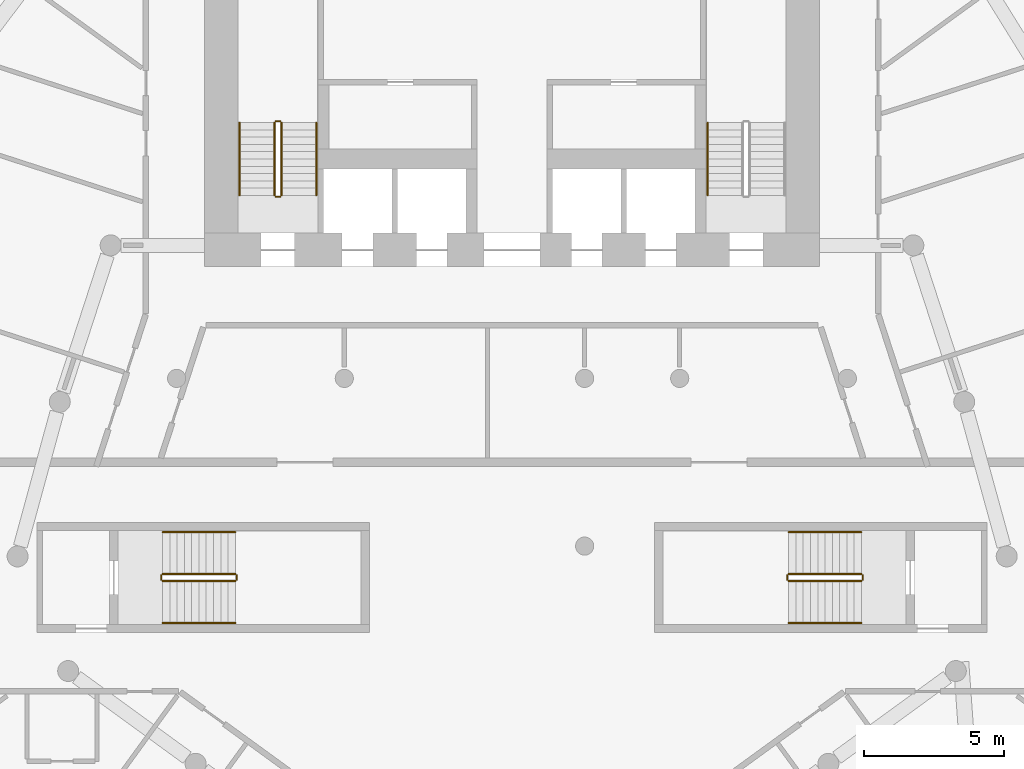
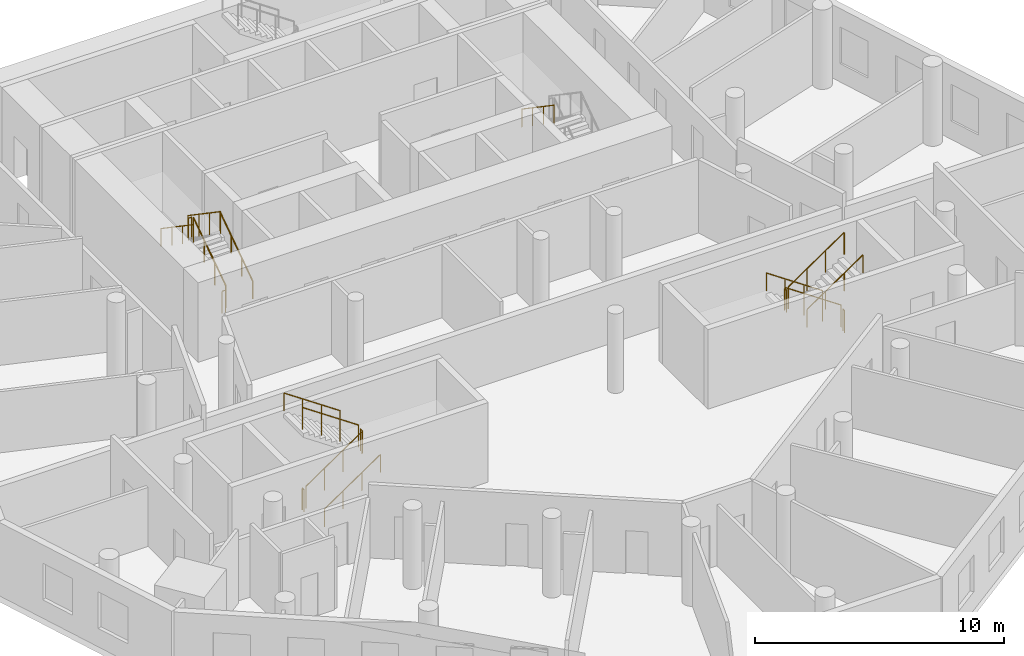
# One storey, part 8 of 9: 19 railings.
"""IFC4 building model written with IfcOpenShell, lengths in metres."""

from ifc_helpers import new_model, si_unit, direction, frame, origin, origin_2d, place, context, subcontext, project, spatial, circle, extrude, material, type_object, element, save


model = new_model("IFC4")

# Units and contexts
model_context = context("Model", 3, precision=1e-05, world=origin(), true_north=direction((0.0, 1.0)))
body_context = subcontext(model_context, "Body", "Model", "MODEL_VIEW")
ifc_project = project(units=[si_unit("LENGTHUNIT", "METRE"), si_unit("AREAUNIT", "SQUARE_METRE"), si_unit("VOLUMEUNIT", "CUBIC_METRE"), si_unit("PLANEANGLEUNIT", "RADIAN"), si_unit("MASSUNIT", "GRAM", prefix="KILO")], contexts=[model_context])

# Site, building, storey
site_placement = place(None, origin())
site = spatial("IfcSite", under=ifc_project, at=site_placement, CompositionType="ELEMENT")
building_placement = place(site_placement, origin())
building = spatial("IfcBuilding", under=site, at=building_placement, Name="White Candle Pilgrim Tower", CompositionType="ELEMENT")
storey_placement = place(building_placement, frame((0.0, 0.0, 70.199951171875)))
storey = spatial("IfcBuildingStorey", under=building, at=storey_placement, Name="L14", CompositionType="ELEMENT", Elevation=70.199951171875)

# Railings
ifc_material = material(Name="Stainless steel", Category="steel")
railing_type_1 = type_object("IfcRailingType", Name="Stair guard stainless steel 1100 mm", PredefinedType="GUARDRAIL", material=ifc_material)
railing_1_placement = place(storey_placement, frame((61.75, 73.550048828125, 0.17724609375)))
element("IfcRailing", 1, at=railing_1_placement, inside=storey, type_object=railing_type_1, Name="L14 ST1 stair guard 1", PredefinedType="GUARDRAIL", context=body_context, shape_type="SweptSolid", body=[
    extrude(circle(Radius=0.02392578125, at=origin_2d()), frame((0.0, 0.0, 1.076171875), z_axis=(0.0, 0.826215852431, 0.563353676824), x_axis=(-1.0, 0.0, 0.0)), (0.0, 0.0, 1.0), 3.146728515625),
    extrude(circle(Radius=0.02099609375, at=origin_2d()), origin(), (0.0, 0.0, 1.0), 1.052001953125),
    extrude(circle(Radius=0.02099609375, at=origin_2d()), frame((0.0, 0.86669921875, 0.5908203125)), (0.0, 0.0, 1.0), 1.052001953125),
    extrude(circle(Radius=0.02099609375, at=origin_2d()), frame((0.0, 1.733154296875, 1.181884765625)), (0.0, 0.0, 1.0), 1.052001953125),
    extrude(circle(Radius=0.02099609375, at=origin_2d()), frame((0.0, 2.599853515625, 1.772705078125)), (0.0, 0.0, 1.0), 1.052001953125),
])
railing_2_placement = place(storey_placement, frame((61.699951171875, 76.199951171875, 1.949951171875)))
element("IfcRailing", 2, at=railing_2_placement, inside=storey, type_object=railing_type_1, Name="L14 ST1 stair guard 2", PredefinedType="GUARDRAIL", context=body_context, shape_type="SweptSolid", body=[
    extrude(circle(Radius=0.02392578125, at=origin_2d()), frame((0.0, 0.0, 1.076171875), z_axis=(-1.0, 0.0, 0.0), x_axis=(0.0, -1.0, 0.0)), (0.0, 0.0, 1.0), 0.14990234375),
    extrude(circle(Radius=0.02099609375, at=origin_2d()), origin(), (0.0, 0.0, 1.0), 1.052001953125),
    extrude(circle(Radius=0.02099609375, at=origin_2d()), frame((-0.14990234375, 0.0, 0.0)), (0.0, 0.0, 1.0), 1.052001953125),
])
railing_3_placement = place(storey_placement, frame((61.5, 76.14990234375, 2.12744140625)))
element("IfcRailing", 3, at=railing_3_placement, inside=storey, type_object=railing_type_1, Name="L14 ST1 stair guard 3", PredefinedType="GUARDRAIL", context=body_context, shape_type="SweptSolid", body=[
    extrude(circle(Radius=0.02392578125, at=origin_2d()), frame((0.0, 0.0, 1.076171875), z_axis=(0.0, -0.826215852431, 0.563353676824), x_axis=(1.0, 0.0, 0.0)), (0.0, 0.0, 1.0), 3.146728515625),
    extrude(circle(Radius=0.02099609375, at=origin_2d()), origin(), (0.0, 0.0, 1.0), 1.052001953125),
    extrude(circle(Radius=0.02099609375, at=origin_2d()), frame((0.0, -0.86669921875, 0.5908203125)), (0.0, 0.0, 1.0), 1.052001953125),
    extrude(circle(Radius=0.02099609375, at=origin_2d()), frame((0.0, -1.733154296875, 1.181884765625)), (0.0, 0.0, 1.0), 1.052001953125),
    extrude(circle(Radius=0.02099609375, at=origin_2d()), frame((0.0, -2.599853515625, 1.772705078125)), (0.0, 0.0, 1.0), 1.052001953125),
])
railing_4_placement = place(storey_placement, frame((61.699951171875, 73.5, 0.0)))
element("IfcRailing", 4, at=railing_4_placement, inside=storey, type_object=railing_type_1, Name="L14 ST1 stair guard 4", PredefinedType="GUARDRAIL", context=body_context, shape_type="SweptSolid", body=[
    extrude(circle(Radius=0.02392578125, at=origin_2d()), frame((0.0, 0.0, 1.076171875), z_axis=(-1.0, 0.0, 0.0), x_axis=(0.0, -1.0, 0.0)), (0.0, 0.0, 1.0), 0.14990234375),
    extrude(circle(Radius=0.02099609375, at=origin_2d()), origin(), (0.0, 0.0, 1.0), 1.052001953125),
    extrude(circle(Radius=0.02099609375, at=origin_2d()), frame((-0.14990234375, 0.0, 0.0)), (0.0, 0.0, 1.0), 1.052001953125),
])
railing_5_placement = place(storey_placement, frame((82.5, 60.0, 0.17724609375)))
element("IfcRailing", 5, at=railing_5_placement, inside=storey, type_object=railing_type_1, Name="L14 ST4 stair guard 1", PredefinedType="GUARDRAIL", context=body_context, shape_type="SweptSolid", body=[
    extrude(circle(Radius=0.02392578125, at=origin_2d()), frame((0.0, 0.0, 1.076171875), z_axis=(-0.826240473404, 0.0, 0.563317565952), x_axis=(0.0, -1.0, 0.0)), (0.0, 0.0, 1.0), 3.14697265625),
    extrude(circle(Radius=0.02099609375, at=origin_2d()), origin(), (0.0, 0.0, 1.0), 1.052001953125),
    extrude(circle(Radius=0.02099609375, at=origin_2d()), frame((-0.86669921875, 0.0, 0.5908203125)), (0.0, 0.0, 1.0), 1.052001953125),
    extrude(circle(Radius=0.02099609375, at=origin_2d()), frame((-1.7333984375, 0.0, 1.181884765625)), (0.0, 0.0, 1.0), 1.052001953125),
    extrude(circle(Radius=0.02099609375, at=origin_2d()), frame((-2.60009765625, 0.0, 1.772705078125)), (0.0, 0.0, 1.0), 1.052001953125),
])
railing_6_placement = place(storey_placement, frame((79.85009765625, 59.949951171875, 1.949951171875)))
element("IfcRailing", 6, at=railing_6_placement, inside=storey, type_object=railing_type_1, Name="L14 ST4 stair guard 2", PredefinedType="GUARDRAIL", context=body_context, shape_type="SweptSolid", body=[
    extrude(circle(Radius=0.02392578125, at=origin_2d()), frame((0.0, 0.0, 1.076171875), z_axis=(0.0, -1.0, 0.0), x_axis=(1.0, 0.0, 0.0)), (0.0, 0.0, 1.0), 0.14990234375),
    extrude(circle(Radius=0.02099609375, at=origin_2d()), origin(), (0.0, 0.0, 1.0), 1.052001953125),
    extrude(circle(Radius=0.02099609375, at=origin_2d()), frame((0.0, -0.14990234375, 0.0)), (0.0, 0.0, 1.0), 1.052001953125),
])
railing_7_placement = place(storey_placement, frame((79.89990234375, 59.75, 2.12744140625)))
element("IfcRailing", 7, at=railing_7_placement, inside=storey, type_object=railing_type_1, Name="L14 ST4 stair guard 3", PredefinedType="GUARDRAIL", context=body_context, shape_type="SweptSolid", body=[
    extrude(circle(Radius=0.02392578125, at=origin_2d()), frame((0.0, 0.0, 1.076171875), z_axis=(0.826240473404, 0.0, 0.563317565952), x_axis=(0.0, 1.0, 0.0)), (0.0, 0.0, 1.0), 3.14697265625),
    extrude(circle(Radius=0.02099609375, at=origin_2d()), origin(), (0.0, 0.0, 1.0), 1.052001953125),
    extrude(circle(Radius=0.02099609375, at=origin_2d()), frame((0.86669921875, 0.0, 0.5908203125)), (0.0, 0.0, 1.0), 1.052001953125),
    extrude(circle(Radius=0.02099609375, at=origin_2d()), frame((1.7333984375, 0.0, 1.181884765625)), (0.0, 0.0, 1.0), 1.052001953125),
    extrude(circle(Radius=0.02099609375, at=origin_2d()), frame((2.60009765625, 0.0, 1.772705078125)), (0.0, 0.0, 1.0), 1.052001953125),
])
railing_8_placement = place(storey_placement, frame((82.550048828125, 59.949951171875, 0.0)))
element("IfcRailing", 8, at=railing_8_placement, inside=storey, type_object=railing_type_1, Name="L14 ST4 stair guard 4", PredefinedType="GUARDRAIL", context=body_context, shape_type="SweptSolid", body=[
    extrude(circle(Radius=0.02392578125, at=origin_2d()), frame((0.0, 0.0, 1.076171875), z_axis=(0.0, -1.0, 0.0), x_axis=(1.0, 0.0, 0.0)), (0.0, 0.0, 1.0), 0.14990234375),
    extrude(circle(Radius=0.02099609375, at=origin_2d()), origin(), (0.0, 0.0, 1.0), 1.052001953125),
    extrude(circle(Radius=0.02099609375, at=origin_2d()), frame((0.0, -0.14990234375, 0.0)), (0.0, 0.0, 1.0), 1.052001953125),
])
railing_9_placement = place(storey_placement, frame((57.5, 59.75, 0.17724609375)))
element("IfcRailing", 9, at=railing_9_placement, inside=storey, type_object=railing_type_1, Name="L14 ST5 stair guard 1", PredefinedType="GUARDRAIL", context=body_context, shape_type="SweptSolid", body=[
    extrude(circle(Radius=0.02392578125, at=origin_2d()), frame((0.0, 0.0, 1.076171875), z_axis=(0.826240473404, 0.0, 0.563317565952), x_axis=(0.0, 1.0, 0.0)), (0.0, 0.0, 1.0), 3.14697265625),
    extrude(circle(Radius=0.02099609375, at=origin_2d()), origin(), (0.0, 0.0, 1.0), 1.052001953125),
    extrude(circle(Radius=0.02099609375, at=origin_2d()), frame((0.86669921875, 0.0, 0.5908203125)), (0.0, 0.0, 1.0), 1.052001953125),
    extrude(circle(Radius=0.02099609375, at=origin_2d()), frame((1.7333984375, 0.0, 1.181884765625)), (0.0, 0.0, 1.0), 1.052001953125),
    extrude(circle(Radius=0.02099609375, at=origin_2d()), frame((2.60009765625, 0.0, 1.772705078125)), (0.0, 0.0, 1.0), 1.052001953125),
])
railing_10_placement = place(storey_placement, frame((60.14990234375, 59.800048828125, 1.949951171875)))
element("IfcRailing", 10, at=railing_10_placement, inside=storey, type_object=railing_type_1, Name="L14 ST5 stair guard 2", PredefinedType="GUARDRAIL", context=body_context, shape_type="SweptSolid", body=[
    extrude(circle(Radius=0.02392578125, at=origin_2d()), frame((0.0, 0.0, 1.076171875), z_axis=(0.0, 1.0, 0.0), x_axis=(-1.0, 0.0, 0.0)), (0.0, 0.0, 1.0), 0.14990234375),
    extrude(circle(Radius=0.02099609375, at=origin_2d()), origin(), (0.0, 0.0, 1.0), 1.052001953125),
    extrude(circle(Radius=0.02099609375, at=origin_2d()), frame((0.0, 0.14990234375, 0.0)), (0.0, 0.0, 1.0), 1.052001953125),
])
railing_11_placement = place(storey_placement, frame((60.10009765625, 60.0, 2.12744140625)))
element("IfcRailing", 11, at=railing_11_placement, inside=storey, type_object=railing_type_1, Name="L14 ST5 stair guard 3", PredefinedType="GUARDRAIL", context=body_context, shape_type="SweptSolid", body=[
    extrude(circle(Radius=0.02392578125, at=origin_2d()), frame((0.0, 0.0, 1.076171875), z_axis=(-0.826240473404, 0.0, 0.563317565952), x_axis=(0.0, -1.0, 0.0)), (0.0, 0.0, 1.0), 3.14697265625),
    extrude(circle(Radius=0.02099609375, at=origin_2d()), origin(), (0.0, 0.0, 1.0), 1.052001953125),
    extrude(circle(Radius=0.02099609375, at=origin_2d()), frame((-0.86669921875, 0.0, 0.5908203125)), (0.0, 0.0, 1.0), 1.052001953125),
    extrude(circle(Radius=0.02099609375, at=origin_2d()), frame((-1.7333984375, 0.0, 1.181884765625)), (0.0, 0.0, 1.0), 1.052001953125),
    extrude(circle(Radius=0.02099609375, at=origin_2d()), frame((-2.60009765625, 0.0, 1.772705078125)), (0.0, 0.0, 1.0), 1.052001953125),
])
railing_12_placement = place(storey_placement, frame((57.449951171875, 59.800048828125, 0.0)))
element("IfcRailing", 12, at=railing_12_placement, inside=storey, type_object=railing_type_1, Name="L14 ST5 stair guard 4", PredefinedType="GUARDRAIL", context=body_context, shape_type="SweptSolid", body=[
    extrude(circle(Radius=0.02392578125, at=origin_2d()), frame((0.0, 0.0, 1.076171875), z_axis=(0.0, 1.0, 0.0), x_axis=(-1.0, 0.0, 0.0)), (0.0, 0.0, 1.0), 0.14990234375),
    extrude(circle(Radius=0.02099609375, at=origin_2d()), origin(), (0.0, 0.0, 1.0), 1.052001953125),
    extrude(circle(Radius=0.02099609375, at=origin_2d()), frame((0.0, 0.14990234375, 0.0)), (0.0, 0.0, 1.0), 1.052001953125),
])
railing_type_2 = type_object("IfcRailingType", Name="Stair handrail stainless steel", PredefinedType="HANDRAIL", material=ifc_material)
railing_13_placement = place(storey_placement, frame((63.0, 73.550048828125, 0.17724609375)))
element("IfcRailing", 13, at=railing_13_placement, inside=storey, type_object=railing_type_2, Name="L14 ST1 stair handrail 1", PredefinedType="HANDRAIL", context=body_context, shape_type="SweptSolid", body=[
    extrude(circle(Radius=0.02392578125, at=origin_2d()), frame((0.0, 0.0, 0.8759765625), z_axis=(0.0, 0.826215852431, 0.563353676824), x_axis=(-1.0, 0.0, 0.0)), (0.0, 0.0, 1.0), 3.146728515625),
    extrude(circle(Radius=0.02099609375, at=origin_2d()), origin(), (0.0, 0.0, 1.0), 0.851806640625),
    extrude(circle(Radius=0.02099609375, at=origin_2d()), frame((0.0, 0.86669921875, 0.5908203125)), (0.0, 0.0, 1.0), 0.851806640625),
    extrude(circle(Radius=0.02099609375, at=origin_2d()), frame((0.0, 1.733154296875, 1.181884765625)), (0.0, 0.0, 1.0), 0.851806640625),
    extrude(circle(Radius=0.02099609375, at=origin_2d()), frame((0.0, 2.599853515625, 1.772705078125)), (0.0, 0.0, 1.0), 0.851806640625),
])
for number, where, name in (
    (14, (60.25, 76.14990234375, 2.12744140625), "L14 ST1 stair handrail 2"),
    (15, (77.0, 76.14990234375, 2.12744140625), "L14 ST2 stair handrail 2"),
):
    element("IfcRailing", number, at=place(storey_placement, frame(where)), inside=storey, type_object=railing_type_2, Name=name, PredefinedType="HANDRAIL", context=body_context, shape_type="SweptSolid", body=[
        extrude(circle(Radius=0.02392578125, at=origin_2d()), frame((0.0, 0.0, 0.8759765625), z_axis=(0.0, -0.826215852431, 0.563353676824), x_axis=(1.0, 0.0, 0.0)), (0.0, 0.0, 1.0), 3.146728515625),
        extrude(circle(Radius=0.02099609375, at=origin_2d()), origin(), (0.0, 0.0, 1.0), 0.851806640625),
        extrude(circle(Radius=0.02099609375, at=origin_2d()), frame((0.0, -0.86669921875, 0.5908203125)), (0.0, 0.0, 1.0), 0.851806640625),
        extrude(circle(Radius=0.02099609375, at=origin_2d()), frame((0.0, -1.733154296875, 1.181884765625)), (0.0, 0.0, 1.0), 0.851806640625),
        extrude(circle(Radius=0.02099609375, at=origin_2d()), frame((0.0, -2.599853515625, 1.772705078125)), (0.0, 0.0, 1.0), 0.851806640625),
    ])
railing_14_placement = place(storey_placement, frame((82.5, 61.5, 0.17724609375)))
element("IfcRailing", 16, at=railing_14_placement, inside=storey, type_object=railing_type_2, Name="L14 ST4 stair handrail 1", PredefinedType="HANDRAIL", context=body_context, shape_type="SweptSolid", body=[
    extrude(circle(Radius=0.02392578125, at=origin_2d()), frame((0.0, 0.0, 0.8759765625), z_axis=(-0.826240473404, 0.0, 0.563317565952), x_axis=(0.0, -1.0, 0.0)), (0.0, 0.0, 1.0), 3.14697265625),
    extrude(circle(Radius=0.02099609375, at=origin_2d()), origin(), (0.0, 0.0, 1.0), 0.851806640625),
    extrude(circle(Radius=0.02099609375, at=origin_2d()), frame((-0.86669921875, 0.0, 0.5908203125)), (0.0, 0.0, 1.0), 0.851806640625),
    extrude(circle(Radius=0.02099609375, at=origin_2d()), frame((-1.7333984375, 0.0, 1.181884765625)), (0.0, 0.0, 1.0), 0.851806640625),
    extrude(circle(Radius=0.02099609375, at=origin_2d()), frame((-2.60009765625, 0.0, 1.772705078125)), (0.0, 0.0, 1.0), 0.851806640625),
])
for number, where, name in (
    (17, (79.89990234375, 58.25, 2.12744140625), "L14 ST4 stair handrail 2"),
    (18, (57.5, 58.25, 0.17724609375), "L14 ST5 stair handrail 1"),
):
    element("IfcRailing", number, at=place(storey_placement, frame(where)), inside=storey, type_object=railing_type_2, Name=name, PredefinedType="HANDRAIL", context=body_context, shape_type="SweptSolid", body=[
        extrude(circle(Radius=0.02392578125, at=origin_2d()), frame((0.0, 0.0, 0.8759765625), z_axis=(0.826240473404, 0.0, 0.563317565952), x_axis=(0.0, 1.0, 0.0)), (0.0, 0.0, 1.0), 3.14697265625),
        extrude(circle(Radius=0.02099609375, at=origin_2d()), origin(), (0.0, 0.0, 1.0), 0.851806640625),
        extrude(circle(Radius=0.02099609375, at=origin_2d()), frame((0.86669921875, 0.0, 0.5908203125)), (0.0, 0.0, 1.0), 0.851806640625),
        extrude(circle(Radius=0.02099609375, at=origin_2d()), frame((1.7333984375, 0.0, 1.181884765625)), (0.0, 0.0, 1.0), 0.851806640625),
        extrude(circle(Radius=0.02099609375, at=origin_2d()), frame((2.60009765625, 0.0, 1.772705078125)), (0.0, 0.0, 1.0), 0.851806640625),
    ])
railing_15_placement = place(storey_placement, frame((60.10009765625, 61.5, 2.12744140625)))
element("IfcRailing", 19, at=railing_15_placement, inside=storey, type_object=railing_type_2, Name="L14 ST5 stair handrail 2", PredefinedType="HANDRAIL", context=body_context, shape_type="SweptSolid", body=[
    extrude(circle(Radius=0.02392578125, at=origin_2d()), frame((0.0, 0.0, 0.8759765625), z_axis=(-0.826240473404, 0.0, 0.563317565952), x_axis=(0.0, -1.0, 0.0)), (0.0, 0.0, 1.0), 3.14697265625),
    extrude(circle(Radius=0.02099609375, at=origin_2d()), origin(), (0.0, 0.0, 1.0), 0.851806640625),
    extrude(circle(Radius=0.02099609375, at=origin_2d()), frame((-0.86669921875, 0.0, 0.5908203125)), (0.0, 0.0, 1.0), 0.851806640625),
    extrude(circle(Radius=0.02099609375, at=origin_2d()), frame((-1.7333984375, 0.0, 1.181884765625)), (0.0, 0.0, 1.0), 0.851806640625),
    extrude(circle(Radius=0.02099609375, at=origin_2d()), frame((-2.60009765625, 0.0, 1.772705078125)), (0.0, 0.0, 1.0), 0.851806640625),
])

save(model, "model.ifc")
